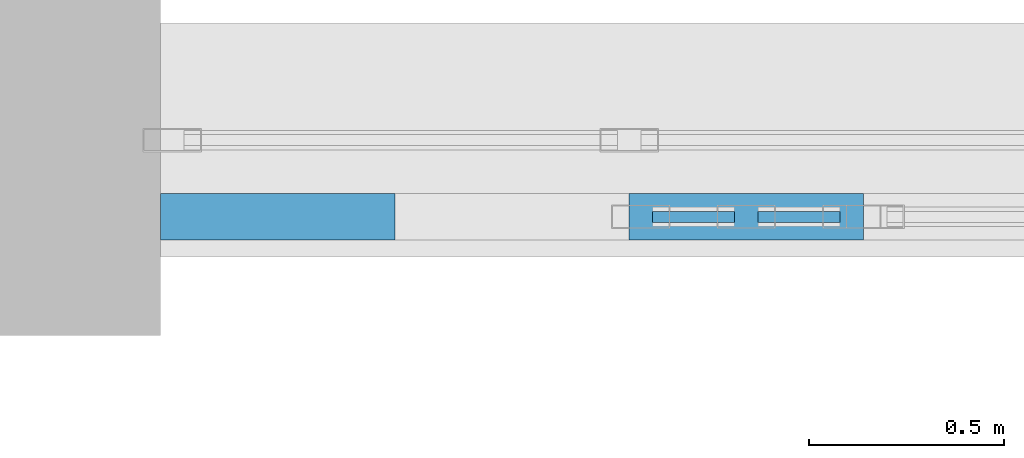
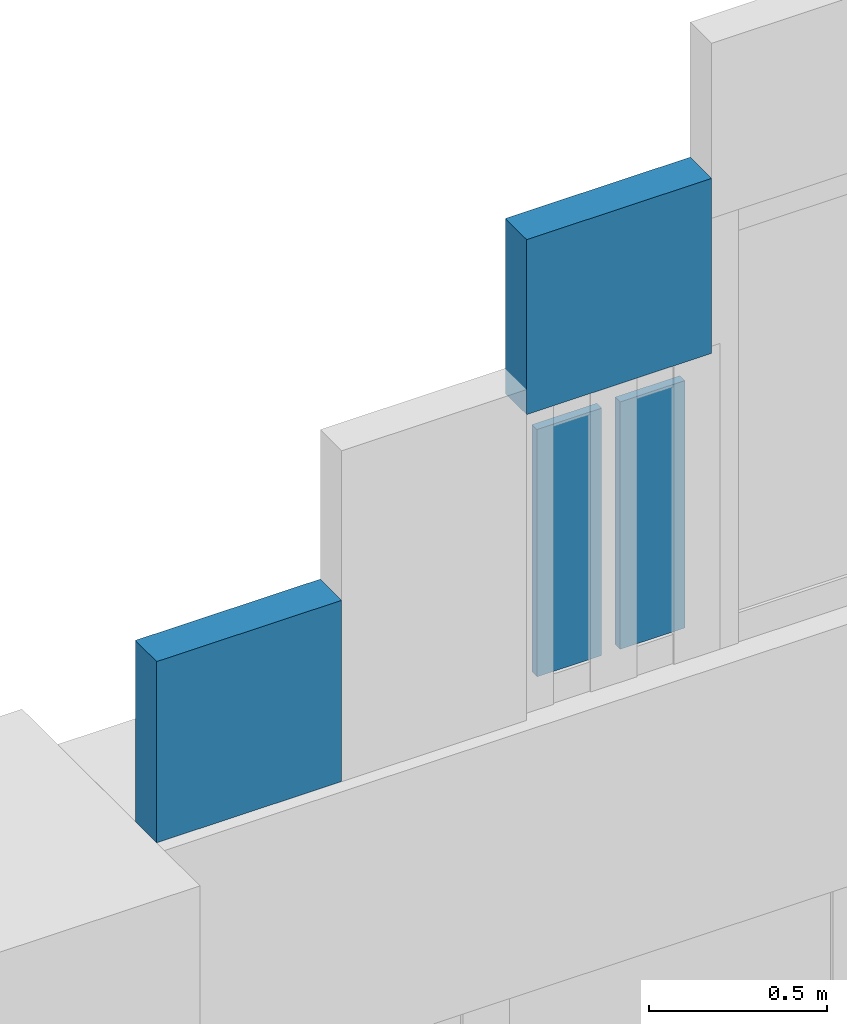
# One storey, part 55 of 103: 4 plates, 1 element without a shape of its own.
"""IFC4 building model written with IfcOpenShell, lengths in metres."""

from ifc_helpers import new_model, si_unit, direction, frame, origin, origin_2d, place, context, subcontext, project, spatial, rectangle, extrude, material, layer, layer_set, type_object, element, aggregate, save


model = new_model("IFC4")

# Units and contexts
model_context = context("Model", 3, precision=1e-05, world=origin(), true_north=direction((0.0, 1.0)))
body_context = subcontext(model_context, "Body", "Model", "MODEL_VIEW")
ifc_project = project(units=[si_unit("LENGTHUNIT", "METRE"), si_unit("AREAUNIT", "SQUARE_METRE"), si_unit("VOLUMEUNIT", "CUBIC_METRE"), si_unit("PLANEANGLEUNIT", "RADIAN"), si_unit("MASSUNIT", "GRAM", prefix="KILO")], contexts=[model_context])

# Site, building, storey
site_placement = place(None, origin())
site = spatial("IfcSite", under=ifc_project, at=site_placement, CompositionType="ELEMENT")
building_placement = place(site_placement, origin())
building = spatial("IfcBuilding", under=site, at=building_placement, Name="Laocheng Heights Fire and Rescue Headquarters", CompositionType="ELEMENT")
storey_placement = place(building_placement, frame((0.0, 0.0, 4.199951171875)))
storey = spatial("IfcBuildingStorey", under=building, at=storey_placement, Name="L01", CompositionType="ELEMENT", Elevation=4.199951171875)

# Plates
ifc_material_1 = material(Name="Aluminium shadow-box panel, insulated and back-painted", Category="aluminium")
ifc_layer_1 = layer(ifc_material_1, 0.1201171875)
ifc_layer_set_1 = layer_set([ifc_layer_1], Name="Aluminium shadow-box panel, insulated and back-painted")
plate_type_1 = type_object("IfcPlateType", Name="GABLE STEP PLATE 120", PredefinedType="SHEET", material=ifc_layer_set_1)
plate_1_placement = place(storey_placement, frame((18.89990234375, -0.196533203125, 4.090576171875), z_axis=(0.0, 0.0, 1.0), x_axis=(1.0, 0.0, 0.0)))
element("IfcPlate", 1, at=plate_1_placement, inside=storey, type_object=plate_type_1, Name="Gable step plate S01", PredefinedType="SHEET", context=body_context, shape_type="SweptSolid", body=[
    extrude(rectangle(XDim=0.60009765625, YDim=0.1201171875, at=origin_2d()), origin(), (0.0, 0.0, 1.0), 0.62158203125),
])
plate_2_placement = place(storey_placement, frame((20.10009765625, -0.196533203125, 5.138916015625), z_axis=(0.0, 0.0, 1.0), x_axis=(1.0, 0.0, 0.0)))
element("IfcPlate", 2, at=plate_2_placement, inside=storey, type_object=plate_type_1, Name="Gable step plate S03", PredefinedType="SHEET", context=body_context, shape_type="SweptSolid", body=[
    extrude(rectangle(XDim=0.60009765625, YDim=0.1201171875, at=origin_2d()), origin(), (0.0, 0.0, 1.0), 0.60009765625),
])

# Curtain wall, plates
ifc_material_2 = material(Name="Aluminium gable glazing, low-e double glazing", Category="aluminium")
curtain_wall_type = type_object("IfcCurtainWallType", Name="GABLE GLAZED UNIT 600 x 1049", PredefinedType="NOTDEFINED", material=ifc_material_2)
curtain_wall_placement = place(storey_placement, origin())
curtain_wall = element("IfcCurtainWall", 3, at=curtain_wall_placement, inside=storey, type_object=curtain_wall_type, Name="Gable glazing S03", PredefinedType="NOTDEFINED")
ifc_material_3 = material(Name="Low-e double glazed unit, laminated inner pane")
ifc_layer_2 = layer(ifc_material_3, 0.028076171875)
ifc_layer_set_2 = layer_set([ifc_layer_2], Name="Low-e double glazed unit, laminated inner pane")
plate_type_2 = type_object("IfcPlateType", Name="GABLE VISION PANEL 28", PredefinedType="CURTAIN_PANEL", material=ifc_layer_set_2)
plate_3_placement = place(storey_placement, frame((19.965087890625, -0.196533203125, 4.1904296875), z_axis=(0.0, 0.0, 1.0), x_axis=(1.0, 0.0, 0.0)))
plate_3 = element("IfcPlate", 4, at=plate_3_placement, type_object=plate_type_2, Name="X2-D panel 1.1", PredefinedType="CURTAIN_PANEL", context=body_context, shape_type="SweptSolid", body=[
    extrude(rectangle(XDim=0.2099609375, YDim=0.028076171875, at=origin_2d()), origin(), (0.0, 0.0, 1.0), 0.848388671875),
])
plate_4_placement = place(storey_placement, frame((20.235107421875, -0.196533203125, 4.1904296875), z_axis=(0.0, 0.0, 1.0), x_axis=(1.0, 0.0, 0.0)))
plate_4 = element("IfcPlate", 5, at=plate_4_placement, type_object=plate_type_2, Name="X2-D panel 2.1", PredefinedType="CURTAIN_PANEL", context=body_context, shape_type="SweptSolid", body=[
    extrude(rectangle(XDim=0.2099609375, YDim=0.028076171875, at=origin_2d()), origin(), (0.0, 0.0, 1.0), 0.848388671875),
])
aggregate(curtain_wall, [plate_3, plate_4])

save(model, "model.ifc")
